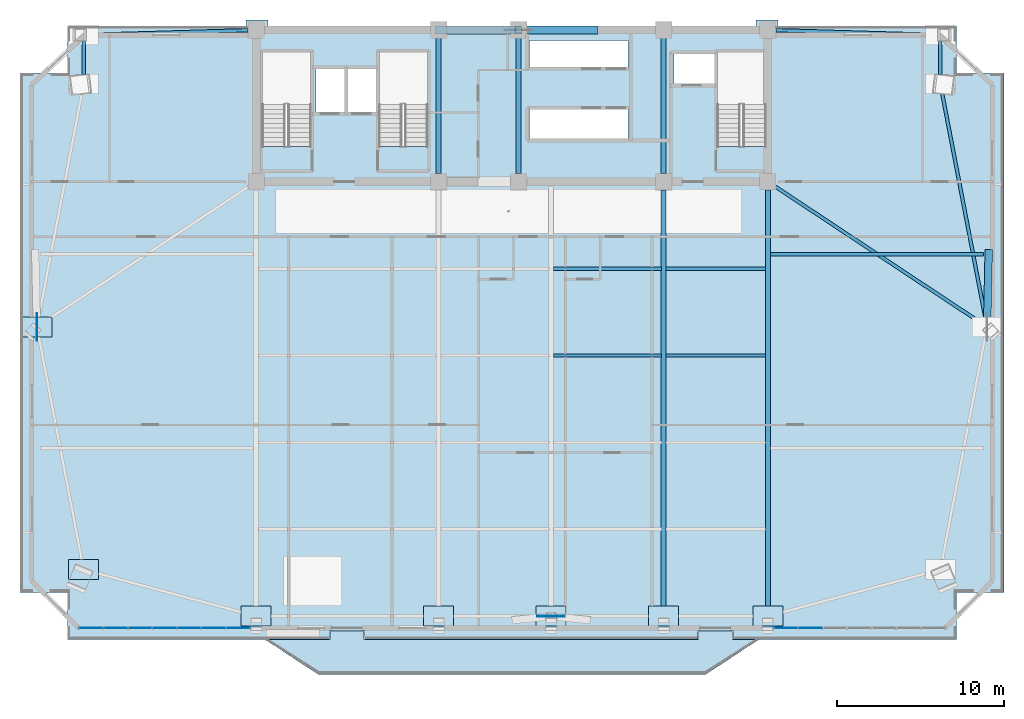
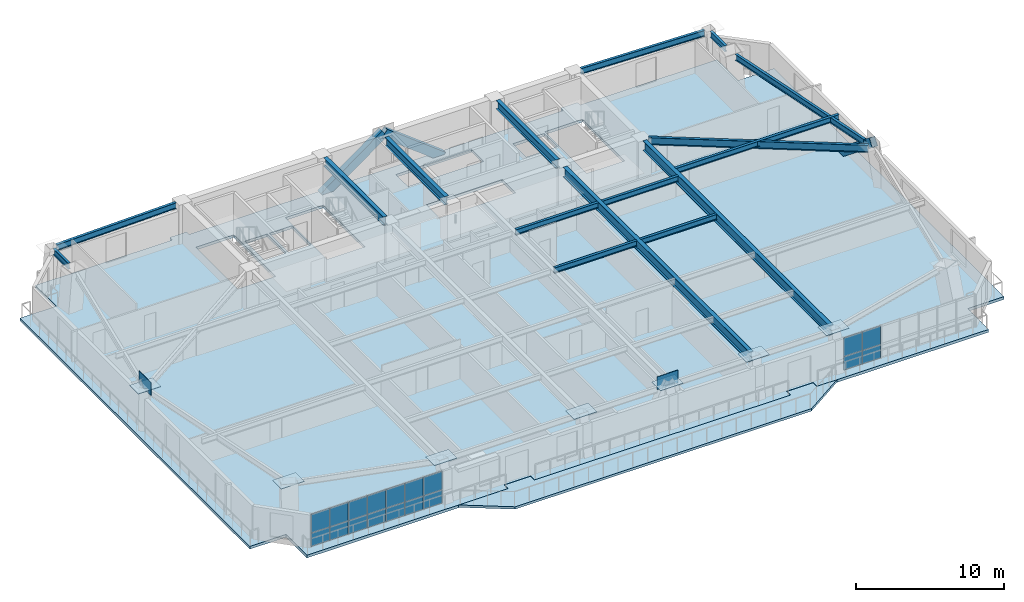
# One storey, part 6 of 16: 27 plates, 16 beams, 3 members, 2 slabs, 2 elements without a shape of their own.
"""IFC4 building model written with IfcOpenShell, lengths in metres."""

from ifc_helpers import new_model, si_unit, direction, frame, origin, origin_2d, place, context, subcontext, project, spatial, polyline, rectangle, hollow_rectangle, i_section, outline, extrude, source, transform, mapped, material, layer, layer_set, material_profile, profile_set, type_object, element, aggregate, save


model = new_model("IFC4")

# Units and contexts
model_context = context("Model", 3, precision=1e-05, world=origin(), true_north=direction((0.0, 1.0)))
body_context = subcontext(model_context, "Body", "Model", "MODEL_VIEW")
ifc_project = project(units=[si_unit("LENGTHUNIT", "METRE"), si_unit("AREAUNIT", "SQUARE_METRE"), si_unit("VOLUMEUNIT", "CUBIC_METRE"), si_unit("PLANEANGLEUNIT", "RADIAN"), si_unit("MASSUNIT", "GRAM", prefix="KILO")], contexts=[model_context])

# Site, building, storey
site_placement = place(None, origin())
site = spatial("IfcSite", under=ifc_project, at=site_placement, CompositionType="ELEMENT")
building_placement = place(site_placement, origin())
building = spatial("IfcBuilding", under=site, at=building_placement, Name="Giltprow Tower", CompositionType="ELEMENT")
storey_placement = place(building_placement, frame((0.0, 0.0, 199.199951171875)))
storey = spatial("IfcBuildingStorey", under=building, at=storey_placement, Name="L50", CompositionType="ELEMENT", Elevation=199.199951171875)

# Beams
ifc_material_1 = material(Name="Structural steel Q355B", Category="steel")
ifc_material_profile_1 = material_profile(ifc_material_1, i_section(OverallWidth=0.199951171875, OverallDepth=0.5, WebThickness=0.010009765625, FlangeThickness=0.01611328125, at=origin_2d()), Name="HN 500x200x10x16")
ifc_profile_set_1 = profile_set([ifc_material_profile_1], Name="Structural steel Q355B")
beam_type_1 = type_object("IfcBeamType", Name="BM-SPAN-HN500", PredefinedType="SPANDREL", material=ifc_profile_set_1)
shared_shape_1 = source(origin(), body_context, "Body", "SweptSolid", [
    extrude(i_section(OverallWidth=0.199951171875, OverallDepth=0.5, WebThickness=0.010009765625, FlangeThickness=0.01611328125, at=origin_2d()), origin(), (0.0, 0.0, 1.0), 2.030029296875),
])
for number, where, z_axis, x_axis, name in (
    (1, (60.89794921875, 43.885009765625, 3.02001953125), (0.0, 1.0, 0.0), (-1.0, 0.0, 0.0), "L50 Perimeter Spandrel Beam MC_NE-N_E"),
    (2, (9.5029296875, 45.9150390625, 3.02001953125), (0.0, -1.0, 0.0), (1.0, 0.0, 0.0), "L50 Perimeter Spandrel Beam N_W-MC_NW"),
):
    element("IfcBeam", number, at=place(storey_placement, frame(where, z_axis=z_axis, x_axis=x_axis)), inside=storey, type_object=beam_type_1, Name=name, PredefinedType="SPANDREL", context=body_context, shape_type="MappedRepresentation", body=[
        mapped(shared_shape_1, transform((0.0, 0.0, 0.0), x_axis=(1.0, 0.0, 0.0), y_axis=(0.0, 1.0, 0.0), z_axis=(0.0, 0.0, 1.0), scale=1.0)),
    ])
ifc_material_profile_2 = material_profile(ifc_material_1, i_section(OverallWidth=0.199951171875, OverallDepth=0.449951171875, WebThickness=0.009033203125, FlangeThickness=0.013916015625, at=origin_2d()), Name="HN 450x200x9x14")
ifc_profile_set_2 = profile_set([ifc_material_profile_2], Name="Structural steel Q355B")
beam_type_2 = type_object("IfcBeamType", Name="BM-JOIST-HN450", PredefinedType="JOIST", material=ifc_profile_set_2)
shared_shape_2 = source(origin(), body_context, "Body", "SweptSolid", [
    extrude(i_section(OverallWidth=0.199951171875, OverallDepth=0.449951171875, WebThickness=0.009033203125, FlangeThickness=0.013916015625, at=origin_2d()), origin(), (0.0, 0.0, 1.0), 6.4599609375),
])
for number, where, z_axis, x_axis, name in (
    (3, (37.695068359375, 27.02392578125, 3.045166015625), (1.0, 0.0, 0.0), (0.0, 1.0, 0.0), "L50 Composite Floor Joist 3-3"),
    (4, (37.695068359375, 32.237060546875, 3.045166015625), (1.0, 0.0, 0.0), (0.0, 1.0, 0.0), "L50 Composite Floor Joist 4-3"),
):
    element("IfcBeam", number, at=place(storey_placement, frame(where, z_axis=z_axis, x_axis=x_axis)), inside=storey, type_object=beam_type_2, Name=name, PredefinedType="JOIST", context=body_context, shape_type="MappedRepresentation", body=[
        mapped(shared_shape_2, transform((0.0, 0.0, 0.0), x_axis=(1.0, 0.0, 0.0), y_axis=(0.0, 1.0, 0.0), z_axis=(0.0, 0.0, 1.0), scale=1.0)),
    ])
shared_shape_3 = source(origin(), body_context, "Body", "SweptSolid", [
    extrude(i_section(OverallWidth=0.199951171875, OverallDepth=0.449951171875, WebThickness=0.009033203125, FlangeThickness=0.013916015625, at=origin_2d()), origin(), (0.0, 0.0, 1.0), 5.9599609375),
])
for number, where, z_axis, x_axis, name in (
    (5, (44.445068359375, 27.02392578125, 3.045166015625), (1.0, 0.0, 0.0), (0.0, 1.0, 0.0), "L50 Composite Floor Joist 3-4"),
    (6, (44.445068359375, 32.237060546875, 3.045166015625), (1.0, 0.0, 0.0), (0.0, 1.0, 0.0), "L50 Composite Floor Joist 4-4"),
):
    element("IfcBeam", number, at=place(storey_placement, frame(where, z_axis=z_axis, x_axis=x_axis)), inside=storey, type_object=beam_type_2, Name=name, PredefinedType="JOIST", context=body_context, shape_type="MappedRepresentation", body=[
        mapped(shared_shape_3, transform((0.0, 0.0, 0.0), x_axis=(1.0, 0.0, 0.0), y_axis=(0.0, 1.0, 0.0), z_axis=(0.0, 0.0, 1.0), scale=1.0)),
    ])
ifc_material_profile_3 = material_profile(ifc_material_1, i_section(OverallWidth=0.300048828125, OverallDepth=0.699951171875, WebThickness=0.012939453125, FlangeThickness=0.02392578125, at=origin_2d()), Name="HN 700x300x13x24")
ifc_profile_set_3 = profile_set([ifc_material_profile_3], Name="Structural steel Q355B")
beam_type_3 = type_object("IfcBeamType", Name="BM-GIRD-HN700", PredefinedType="BEAM", material=ifc_profile_set_3)
shared_shape_4 = source(origin(), body_context, "Body", "SweptSolid", [
    extrude(i_section(OverallWidth=0.300048828125, OverallDepth=0.699951171875, WebThickness=0.012939453125, FlangeThickness=0.02392578125, at=origin_2d()), origin(), (0.0, 0.0, 1.0), 8.1298828125),
])
for number, where, z_axis, x_axis, name in (
    (7, (30.800048828125, 37.93505859375, 2.920166015625), (0.0, 1.0, 0.0), (-1.0, 0.0, 0.0), "L50 Core Tie Girder M1"),
    (8, (35.60009765625, 37.93505859375, 2.920166015625), (0.0, 1.0, 0.0), (-1.0, 0.0, 0.0), "L50 Core Tie Girder M2"),
    (9, (44.300048828125, 37.93505859375, 2.920166015625), (0.0, 1.0, 0.0), (-1.0, 0.0, 0.0), "L50 Core Tie Girder M3"),
):
    element("IfcBeam", number, at=place(storey_placement, frame(where, z_axis=z_axis, x_axis=x_axis)), inside=storey, type_object=beam_type_3, Name=name, PredefinedType="BEAM", context=body_context, shape_type="MappedRepresentation", body=[
        mapped(shared_shape_4, transform((0.0, 0.0, 0.0), x_axis=(1.0, 0.0, 0.0), y_axis=(0.0, 1.0, 0.0), z_axis=(0.0, 0.0, 1.0), scale=1.0)),
    ])
shared_shape_5 = source(origin(), body_context, "Body", "SweptSolid", [
    extrude(i_section(OverallWidth=0.199951171875, OverallDepth=0.5, WebThickness=0.010009765625, FlangeThickness=0.01611328125, at=origin_2d()), origin(), (0.0, 0.0, 1.0), 13.904541015625),
])
beam_1_placement = place(storey_placement, frame((63.635009765625, 29.072021484375, 3.02001953125), z_axis=(-0.18892879803, 0.981990788793, 0.0), x_axis=(-0.981990788793, -0.18892879803, 0.0)))
element("IfcBeam", 10, at=beam_1_placement, inside=storey, type_object=beam_type_1, Name="L50 Perimeter Spandrel Beam E_MID-MC_NE", PredefinedType="SPANDREL", context=body_context, shape_type="MappedRepresentation", body=[
    mapped(shared_shape_5, transform((0.0, 0.0, 0.0), x_axis=(1.0, 0.0, 0.0), y_axis=(0.0, 1.0, 0.0), z_axis=(0.0, 0.0, 1.0), scale=1.0)),
])
shared_shape_6 = source(origin(), body_context, "Body", "SweptSolid", [
    extrude(i_section(OverallWidth=0.199951171875, OverallDepth=0.5, WebThickness=0.010009765625, FlangeThickness=0.01611328125, at=origin_2d()), origin(), (0.0, 0.0, 1.0), 9.531005859375),
])
beam_2_placement = place(storey_placement, frame((9.837890625, 46.260009765625, 3.02001953125), z_axis=(0.999581001408, 0.028945148543, 0.0), x_axis=(-0.028945148543, 0.999581001408, 0.0)))
element("IfcBeam", 11, at=beam_2_placement, inside=storey, type_object=beam_type_1, Name="L50 North Wing Spandrel W", PredefinedType="SPANDREL", context=body_context, shape_type="MappedRepresentation", body=[
    mapped(shared_shape_6, transform((0.0, 0.0, 0.0), x_axis=(1.0, 0.0, 0.0), y_axis=(0.0, 1.0, 0.0), z_axis=(0.0, 0.0, 1.0), scale=1.0)),
])
shared_shape_7 = source(origin(), body_context, "Body", "SweptSolid", [
    extrude(i_section(OverallWidth=0.199951171875, OverallDepth=0.5, WebThickness=0.010009765625, FlangeThickness=0.01611328125, at=origin_2d()), origin(), (0.0, 0.0, 1.0), 9.531982421875),
])
beam_3_placement = place(storey_placement, frame((51.034912109375, 46.535888671875, 3.02001953125), z_axis=(0.999581087239, -0.028942184349, 0.0), x_axis=(0.028942184349, 0.999581087239, 0.0)))
element("IfcBeam", 12, at=beam_3_placement, inside=storey, type_object=beam_type_1, Name="L50 North Wing Spandrel E", PredefinedType="SPANDREL", context=body_context, shape_type="MappedRepresentation", body=[
    mapped(shared_shape_7, transform((0.0, 0.0, 0.0), x_axis=(1.0, 0.0, 0.0), y_axis=(0.0, 1.0, 0.0), z_axis=(0.0, 0.0, 1.0), scale=1.0)),
])
ifc_material_profile_4 = material_profile(ifc_material_1, i_section(OverallWidth=0.300048828125, OverallDepth=0.800048828125, WebThickness=0.013916015625, FlangeThickness=0.02587890625, at=origin_2d()), Name="HN 800x300x14x26")
ifc_profile_set_4 = profile_set([ifc_material_profile_4], Name="Structural steel Q355B")
beam_type_4 = type_object("IfcBeamType", Name="BM-GIRD-HN800", PredefinedType="BEAM", material=ifc_profile_set_4)
shared_shape_8 = source(origin(), body_context, "Body", "SweptSolid", [
    extrude(i_section(OverallWidth=0.300048828125, OverallDepth=0.800048828125, WebThickness=0.013916015625, FlangeThickness=0.02587890625, at=origin_2d()), origin(), (0.0, 0.0, 1.0), 25.244140625),
])
for number, where, z_axis, x_axis, name in (
    (13, (44.300048828125, 11.720947265625, 2.8701171875), (0.0, 1.0, 0.0), (-1.0, 0.0, 0.0), "L50 Primary Lease Girder S3"),
    (14, (50.550048828125, 11.720947265625, 2.8701171875), (0.0, 1.0, 0.0), (-1.0, 0.0, 0.0), "L50 Primary Lease Girder S4"),
):
    element("IfcBeam", number, at=place(storey_placement, frame(where, z_axis=z_axis, x_axis=x_axis)), inside=storey, type_object=beam_type_4, Name=name, PredefinedType="BEAM", context=body_context, shape_type="MappedRepresentation", body=[
        mapped(shared_shape_8, transform((0.0, 0.0, 0.0), x_axis=(1.0, 0.0, 0.0), y_axis=(0.0, 1.0, 0.0), z_axis=(0.0, 0.0, 1.0), scale=1.0)),
    ])
ifc_material_profile_5 = material_profile(ifc_material_1, i_section(OverallWidth=0.199951171875, OverallDepth=0.60009765625, WebThickness=0.010986328125, FlangeThickness=0.01708984375, at=origin_2d()), Name="HN 600x200x11x17")
ifc_profile_set_5 = profile_set([ifc_material_profile_5], Name="Structural steel Q355B")
beam_type_5 = type_object("IfcBeamType", Name="BM-GIRD-HN600", PredefinedType="BEAM", material=ifc_profile_set_5)
shared_shape_9 = source(origin(), body_context, "Body", "SweptSolid", [
    extrude(i_section(OverallWidth=0.199951171875, OverallDepth=0.60009765625, WebThickness=0.010986328125, FlangeThickness=0.01708984375, at=origin_2d()), origin(), (0.0, 0.0, 1.0), 14.949951171875),
])
beam_4_placement = place(storey_placement, frame((63.4189453125, 28.927978515625, 2.969970703125), z_axis=(-0.833774785073, 0.552104707258, 0.0), x_axis=(-0.552104707258, -0.833774785073, 0.0)))
element("IfcBeam", 15, at=beam_4_placement, inside=storey, type_object=beam_type_5, Name="L50 East Wing Primary Girder", PredefinedType="BEAM", context=body_context, shape_type="MappedRepresentation", body=[
    mapped(shared_shape_9, transform((0.0, 0.0, 0.0), x_axis=(1.0, 0.0, 0.0), y_axis=(0.0, 1.0, 0.0), z_axis=(0.0, 0.0, 1.0), scale=1.0)),
])
shared_shape_10 = source(origin(), body_context, "Body", "SweptSolid", [
    extrude(i_section(OverallWidth=0.199951171875, OverallDepth=0.449951171875, WebThickness=0.009033203125, FlangeThickness=0.013916015625, at=origin_2d()), origin(), (0.0, 0.0, 1.0), 12.782958984375),
])
beam_5_placement = place(storey_placement, frame((50.695068359375, 33.095947265625, 3.045166015625), z_axis=(1.0, 0.0, 0.0), x_axis=(0.0, 1.0, 0.0)))
element("IfcBeam", 16, at=beam_5_placement, inside=storey, type_object=beam_type_2, Name="L50 East Wing Floor Joist 2", PredefinedType="JOIST", context=body_context, shape_type="MappedRepresentation", body=[
    mapped(shared_shape_10, transform((0.0, 0.0, 0.0), x_axis=(1.0, 0.0, 0.0), y_axis=(0.0, 1.0, 0.0), z_axis=(0.0, 0.0, 1.0), scale=1.0)),
])

# Members
ifc_material_2 = material(Name="Structural steel Q420GJC", Category="steel")
ifc_material_profile_6 = material_profile(ifc_material_2, hollow_rectangle(XDim=0.449951171875, YDim=0.699951171875, WallThickness=0.031982421875, at=origin_2d()), Name="RHS 700x450x32")
ifc_profile_set_6 = profile_set([ifc_material_profile_6], Name="Structural steel Q420GJC")
member_type = type_object("IfcMemberType", Name="MBR-MEGA-RHS700", PredefinedType="BRACE", material=ifc_profile_set_6)
shared_shape_11 = source(origin(), body_context, "Body", "SweptSolid", [
    extrude(hollow_rectangle(XDim=0.449951171875, YDim=0.699951171875, WallThickness=0.031982421875, at=origin_2d()), origin(), (0.0, 0.0, 1.0), 5.93505859375),
])
member_1_placement = place(storey_placement, frame((30.806884765625, 46.550048828125, -0.139892578125), z_axis=(0.807610388914, 0.0, 0.589716423138), x_axis=(0.0, 1.0, 0.0)))
element("IfcMember", 17, at=member_1_placement, inside=storey, type_object=member_type, Name="L50 Chevron Mega-Brace N-L", PredefinedType="BRACE", context=body_context, shape_type="MappedRepresentation", body=[
    mapped(shared_shape_11, transform((0.0, 0.0, 0.0), x_axis=(1.0, 0.0, 0.0), y_axis=(0.0, 1.0, 0.0), z_axis=(0.0, 0.0, 1.0), scale=1.0)),
])
shared_shape_12 = source(origin(), body_context, "Body", "SweptSolid", [
    extrude(hollow_rectangle(XDim=0.449951171875, YDim=0.699951171875, WallThickness=0.031982421875, at=origin_2d()), origin(), (0.0, 0.0, 1.0), 5.740234375),
])
member_2_placement = place(storey_placement, frame((40.14990234375, 46.550048828125, -0.139892578125), z_axis=(-0.792611340252, 0.0, 0.609727204006), x_axis=(0.0, -1.0, 0.0)))
element("IfcMember", 18, at=member_2_placement, inside=storey, type_object=member_type, Name="L50 Chevron Mega-Brace N-R", PredefinedType="BRACE", context=body_context, shape_type="MappedRepresentation", body=[
    mapped(shared_shape_12, transform((0.0, 0.0, 0.0), x_axis=(1.0, 0.0, 0.0), y_axis=(0.0, 1.0, 0.0), z_axis=(0.0, 0.0, 1.0), scale=1.0)),
])
shared_shape_13 = source(origin(), body_context, "Body", "SweptSolid", [
    extrude(hollow_rectangle(XDim=0.449951171875, YDim=0.699951171875, WallThickness=0.031982421875, at=origin_2d()), origin(), (0.0, 0.0, 1.0), 5.638916015625),
])
member_3_placement = place(storey_placement, frame((63.7939453125, 33.1630859375, 0.0), z_axis=(-0.017015277139, -0.783871736919, 0.620689600689), x_axis=(0.999764492574, -0.021701598762, 0.0)))
element("IfcMember", 19, at=member_3_placement, inside=storey, type_object=member_type, Name="L50 Chevron Mega-Brace E-R", PredefinedType="BRACE", context=body_context, shape_type="MappedRepresentation", body=[
    mapped(shared_shape_13, transform((0.0, 0.0, 0.0), x_axis=(1.0, 0.0, 0.0), y_axis=(0.0, 1.0, 0.0), z_axis=(0.0, 0.0, 1.0), scale=1.0)),
])

# Slabs
ifc_material_3 = material(Name="Concrete C40", Category="concrete")
ifc_layer_1 = layer(ifc_material_3, 0.199951171875, Name="Concrete C40")
ifc_layer_set_1 = layer_set([ifc_layer_1], Name="Concrete C40")
slab_type_1 = type_object("IfcSlabType", Name="SLB-BALC-BRONZE-200", PredefinedType="FLOOR", material=ifc_layer_set_1)
slab_1_placement = place(storey_placement, frame((0.0, 0.0, -0.199951171875)))
element("IfcSlab", 20, at=slab_1_placement, inside=storey, type_object=slab_type_1, Name="L50 Bronze Prow Waterfront Balcony Slab", PredefinedType="FLOOR", context=body_context, shape_type="SweptSolid", body=[
    extrude(outline(polyline([(50.0, 9.97998046875), (46.800048828125, 7.8798828125), (23.60009765625, 7.8798828125), (20.39990234375, 9.97998046875), (24.280029296875, 9.97998046875), (24.280029296875, 10.47998046875), (26.320068359375, 10.47998046875), (26.320068359375, 9.97998046875), (46.3798828125, 9.97998046875), (46.3798828125, 10.47998046875), (48.419921875, 10.47998046875), (48.419921875, 9.97998046875), (50.0, 9.97998046875)])), origin(), (0.0, 0.0, 1.0), 0.199951171875),
])
ifc_layer_2 = layer(ifc_material_3, 0.22998046875, Name="Concrete C40")
ifc_layer_set_2 = layer_set([ifc_layer_2], Name="Concrete C40")
slab_type_2 = type_object("IfcSlabType", Name="SLB-HTL-230", PredefinedType="FLOOR", material=ifc_layer_set_2)
slab_2_placement = place(storey_placement, frame((0.0, 0.0, -0.22998046875)))
element("IfcSlab", 21, at=slab_2_placement, inside=storey, type_object=slab_type_2, Name="L50 Structural Composite Floor Slab", PredefinedType="FLOOR", context=body_context, shape_type="SweptSolid", body=[
    extrude(outline(polyline([(64.7119140625, 43.965087890625), (64.7119140625, 12.81591796875), (61.876953125, 12.81591796875), (61.876953125, 9.97998046875), (48.449951171875, 9.97998046875), (48.449951171875, 10.5), (46.35009765625, 10.5), (46.35009765625, 9.97998046875), (26.35009765625, 9.97998046875), (26.35009765625, 10.5), (24.25, 10.5), (24.25, 9.97998046875), (8.52392578125, 9.97998046875), (8.52392578125, 12.81591796875), (5.68896484375, 12.81591796875), (5.68896484375, 43.965087890625), (8.52392578125, 43.965087890625), (8.52392578125, 46.800048828125), (19.25, 46.800048828125), (19.25, 47.14990234375), (20.550048828125, 47.14990234375), (20.550048828125, 46.800048828125), (49.85009765625, 46.800048828125), (49.85009765625, 47.14990234375), (51.14990234375, 47.14990234375), (51.14990234375, 46.800048828125), (61.876953125, 46.800048828125), (61.876953125, 43.965087890625), (64.7119140625, 43.965087890625)]), holes=[polyline([(42.169921875, 41.800048828125), (36.239990234375, 41.800048828125), (36.239990234375, 40.0), (42.169921875, 40.0), (42.169921875, 41.800048828125)]), polyline([(23.159912109375, 39.570068359375), (23.159912109375, 45.25), (20.199951171875, 45.25), (20.199951171875, 39.570068359375), (23.159912109375, 39.570068359375)]), polyline([(30.159912109375, 39.570068359375), (30.159912109375, 45.25), (27.199951171875, 45.25), (27.199951171875, 39.570068359375), (30.159912109375, 39.570068359375)]), polyline([(50.4599609375, 45.25), (47.5, 45.25), (47.5, 39.570068359375), (50.4599609375, 39.570068359375), (50.4599609375, 45.25)]), polyline([(25.169921875, 44.199951171875), (23.449951171875, 44.199951171875), (23.449951171875, 41.60009765625), (25.169921875, 41.60009765625), (25.169921875, 44.199951171875)]), polyline([(27.10009765625, 44.199951171875), (25.35009765625, 44.199951171875), (25.35009765625, 41.60009765625), (27.10009765625, 41.60009765625), (27.10009765625, 44.199951171875)]), polyline([(47.3798828125, 43.300048828125), (47.3798828125, 45.10009765625), (44.919921875, 45.10009765625), (44.919921875, 43.300048828125), (47.3798828125, 43.300048828125)]), polyline([(42.169921875, 44.300048828125), (42.169921875, 45.919921875), (36.239990234375, 45.919921875), (36.239990234375, 44.300048828125), (42.169921875, 44.300048828125)])]), origin(), (0.0, 0.0, 1.0), 0.22998046875),
])

# Plates
plate_type_1 = type_object("IfcPlateType", Name="PLT-NODE-CKN1", PredefinedType="USERDEFINED", material=ifc_material_2)
shared_shape_14 = source(origin(), body_context, "Body", "SweptSolid", [
    extrude(rectangle(XDim=1.800048828125, YDim=1.199951171875, at=origin_2d()), origin(), (0.0, 0.0, 1.0), 0.044921875),
])
for number, where, z_axis, x_axis, name in (
    (22, (9.5029296875, 14.18603515625, 3.2275390625), (0.0, 0.0, 1.0), (1.0, 0.0, 0.0), "CKN1 Column Taper Splice Node L50-MC_SW"),
    (23, (19.85009765625, 11.385986328125, 3.2275390625), (0.0, 0.0, 1.0), (1.0, 0.0, 0.0), "CKN1 Column Taper Splice Node L50-S1"),
    (24, (30.800048828125, 11.385986328125, 3.2275390625), (0.0, 0.0, 1.0), (1.0, 0.0, 0.0), "CKN1 Column Taper Splice Node L50-S2"),
    (25, (37.550048828125, 11.385986328125, 3.2275390625), (0.0, 0.0, 1.0), (1.0, 0.0, 0.0), "CKN1 Column Taper Splice Node L50-S_MID"),
    (26, (44.300048828125, 11.385986328125, 3.2275390625), (0.0, 0.0, 1.0), (1.0, 0.0, 0.0), "CKN1 Column Taper Splice Node L50-S3"),
    (27, (50.550048828125, 11.385986328125, 3.2275390625), (0.0, 0.0, 1.0), (1.0, 0.0, 0.0), "CKN1 Column Taper Splice Node L50-S4"),
    (28, (6.702880859375, 28.742919921875, 3.2275390625), (0.0, 0.0, 1.0), (1.0, 0.0, 0.0), "CKN1 Column Taper Splice Node L50-W_MID"),
):
    element("IfcPlate", number, at=place(storey_placement, frame(where, z_axis=z_axis, x_axis=x_axis)), inside=storey, type_object=plate_type_1, Name=name, ObjectType="SPLICE", PredefinedType="USERDEFINED", context=body_context, shape_type="MappedRepresentation", body=[
        mapped(shared_shape_14, transform((0.0, 0.0, 0.0), x_axis=(1.0, 0.0, 0.0), y_axis=(0.0, 1.0, 0.0), z_axis=(0.0, 0.0, 1.0), scale=1.0)),
    ])
plate_type_2 = type_object("IfcPlateType", Name="PLT-NODE-MBN2", PredefinedType="USERDEFINED", material=ifc_material_2)
shared_shape_15 = source(origin(), body_context, "Body", "SweptSolid", [
    extrude(rectangle(XDim=1.64990234375, YDim=0.044921875, at=origin_2d()), origin(), (0.0, 0.0, 1.0), 1.050048828125),
])
for number, where, z_axis, x_axis, name in (
    (29, (37.550048828125, 11.385986328125, 2.97509765625), (0.0, 0.0, 1.0), (1.0, 0.0, 0.0), "Mega-Brace Node L50-S-LB"),
    (30, (6.702880859375, 28.742919921875, 2.97509765625), (0.0, 0.0, 1.0), (0.0, 1.0, 0.0), "Mega-Brace Node L50-W-RB"),
):
    element("IfcPlate", number, at=place(storey_placement, frame(where, z_axis=z_axis, x_axis=x_axis)), inside=storey, type_object=plate_type_2, Name=name, ObjectType="GUSSET", PredefinedType="USERDEFINED", context=body_context, shape_type="MappedRepresentation", body=[
        mapped(shared_shape_15, transform((0.0, 0.0, 0.0), x_axis=(1.0, 0.0, 0.0), y_axis=(0.0, 1.0, 0.0), z_axis=(0.0, 0.0, 1.0), scale=1.0)),
    ])

# Curtain wall, plates
ifc_material_4 = material(Name="Anodized bronze", Category="metal")
ifc_layer_3 = layer(ifc_material_4, 0.179931640625, Name="Anodized bronze")
ifc_layer_set_3 = layer_set([ifc_layer_3], Name="Anodized bronze")
curtain_wall_type = type_object("IfcCurtainWallType", Name="CW-HTL-BRONZE", PredefinedType="NOTDEFINED", material=ifc_layer_set_3)
curtain_wall_1_placement = place(storey_placement, origin())
curtain_wall_1 = element("IfcCurtainWall", 31, at=curtain_wall_1_placement, inside=storey, type_object=curtain_wall_type, Name="L50 South Recessed Curtain Wall 1", PredefinedType="NOTDEFINED")
ifc_material_5 = material(Name="Insulated glass", Category="glass")
plate_type_3 = type_object("IfcPlateType", Name="CW-PANEL-IGU-28", PredefinedType="CURTAIN_PANEL", material=ifc_material_5)
shared_shape_16 = source(origin(), body_context, "Body", "SweptSolid", [
    extrude(rectangle(XDim=1.43798828125, YDim=0.028076171875, at=origin_2d()), origin(), (0.0, 0.0, 1.0), 1.0869140625),
])
plate_1_placement = place(storey_placement, frame((9.9580078125, 10.679931640625, 0.0546875), z_axis=(0.0, 0.0, 1.0), x_axis=(1.0, 0.0, 0.0)))
plate_1 = element("IfcPlate", 32, at=plate_1_placement, type_object=plate_type_3, Name="L50 South Recessed Curtain Wall 1 Glazing Panel 1-1", PredefinedType="CURTAIN_PANEL", context=body_context, shape_type="MappedRepresentation", body=[
    mapped(shared_shape_16, transform((0.0, 0.0, 0.0), x_axis=(1.0, 0.0, 0.0), y_axis=(0.0, 1.0, 0.0), z_axis=(0.0, 0.0, 1.0), scale=1.0)),
])
plate_2_placement = place(storey_placement, frame((11.426025390625, 10.679931640625, 0.0546875), z_axis=(0.0, 0.0, 1.0), x_axis=(1.0, 0.0, 0.0)))
plate_2 = element("IfcPlate", 33, at=plate_2_placement, type_object=plate_type_3, Name="L50 South Recessed Curtain Wall 1 Glazing Panel 2-1", PredefinedType="CURTAIN_PANEL", context=body_context, shape_type="MappedRepresentation", body=[
    mapped(shared_shape_16, transform((0.0, 0.0, 0.0), x_axis=(1.0, 0.0, 0.0), y_axis=(0.0, 1.0, 0.0), z_axis=(0.0, 0.0, 1.0), scale=1.0)),
])
plate_3_placement = place(storey_placement, frame((12.89404296875, 10.679931640625, 0.0546875), z_axis=(0.0, 0.0, 1.0), x_axis=(1.0, 0.0, 0.0)))
plate_3 = element("IfcPlate", 34, at=plate_3_placement, type_object=plate_type_3, Name="L50 South Recessed Curtain Wall 1 Glazing Panel 3-1", PredefinedType="CURTAIN_PANEL", context=body_context, shape_type="MappedRepresentation", body=[
    mapped(shared_shape_16, transform((0.0, 0.0, 0.0), x_axis=(1.0, 0.0, 0.0), y_axis=(0.0, 1.0, 0.0), z_axis=(0.0, 0.0, 1.0), scale=1.0)),
])
plate_4_placement = place(storey_placement, frame((14.362060546875, 10.679931640625, 0.0546875), z_axis=(0.0, 0.0, 1.0), x_axis=(1.0, 0.0, 0.0)))
plate_4 = element("IfcPlate", 35, at=plate_4_placement, type_object=plate_type_3, Name="L50 South Recessed Curtain Wall 1 Glazing Panel 4-1", PredefinedType="CURTAIN_PANEL", context=body_context, shape_type="MappedRepresentation", body=[
    mapped(shared_shape_16, transform((0.0, 0.0, 0.0), x_axis=(1.0, 0.0, 0.0), y_axis=(0.0, 1.0, 0.0), z_axis=(0.0, 0.0, 1.0), scale=1.0)),
])
plate_5_placement = place(storey_placement, frame((15.830078125, 10.679931640625, 0.0546875), z_axis=(0.0, 0.0, 1.0), x_axis=(1.0, 0.0, 0.0)))
plate_5 = element("IfcPlate", 36, at=plate_5_placement, type_object=plate_type_3, Name="L50 South Recessed Curtain Wall 1 Glazing Panel 5-1", PredefinedType="CURTAIN_PANEL", context=body_context, shape_type="MappedRepresentation", body=[
    mapped(shared_shape_16, transform((0.0, 0.0, 0.0), x_axis=(1.0, 0.0, 0.0), y_axis=(0.0, 1.0, 0.0), z_axis=(0.0, 0.0, 1.0), scale=1.0)),
])
plate_6_placement = place(storey_placement, frame((17.298095703125, 10.679931640625, 0.0546875), z_axis=(0.0, 0.0, 1.0), x_axis=(1.0, 0.0, 0.0)))
plate_6 = element("IfcPlate", 37, at=plate_6_placement, type_object=plate_type_3, Name="L50 South Recessed Curtain Wall 1 Glazing Panel 6-1", PredefinedType="CURTAIN_PANEL", context=body_context, shape_type="MappedRepresentation", body=[
    mapped(shared_shape_16, transform((0.0, 0.0, 0.0), x_axis=(1.0, 0.0, 0.0), y_axis=(0.0, 1.0, 0.0), z_axis=(0.0, 0.0, 1.0), scale=1.0)),
])
plate_7_placement = place(storey_placement, frame((18.76611328125, 10.679931640625, 0.0546875), z_axis=(0.0, 0.0, 1.0), x_axis=(1.0, 0.0, 0.0)))
plate_7 = element("IfcPlate", 38, at=plate_7_placement, type_object=plate_type_3, Name="L50 South Recessed Curtain Wall 1 Glazing Panel 7-1", PredefinedType="CURTAIN_PANEL", context=body_context, shape_type="MappedRepresentation", body=[
    mapped(shared_shape_16, transform((0.0, 0.0, 0.0), x_axis=(1.0, 0.0, 0.0), y_axis=(0.0, 1.0, 0.0), z_axis=(0.0, 0.0, 1.0), scale=1.0)),
])

curtain_wall_2_placement = place(storey_placement, origin())
curtain_wall_2 = element("IfcCurtainWall", 39, at=curtain_wall_2_placement, inside=storey, type_object=curtain_wall_type, Name="L50 South Recessed Curtain Wall 6", PredefinedType="NOTDEFINED")
plate_8_placement = place(storey_placement, frame((51.634033203125, 10.679931640625, 0.0546875), z_axis=(0.0, 0.0, 1.0), x_axis=(1.0, 0.0, 0.0)))
plate_8 = element("IfcPlate", 40, at=plate_8_placement, type_object=plate_type_3, Name="L50 South Recessed Curtain Wall 6 Glazing Panel 1-1", PredefinedType="CURTAIN_PANEL", context=body_context, shape_type="MappedRepresentation", body=[
    mapped(shared_shape_16, transform((0.0, 0.0, 0.0), x_axis=(1.0, 0.0, 0.0), y_axis=(0.0, 1.0, 0.0), z_axis=(0.0, 0.0, 1.0), scale=1.0)),
])
plate_9_placement = place(storey_placement, frame((53.10205078125, 10.679931640625, 0.0546875), z_axis=(0.0, 0.0, 1.0), x_axis=(1.0, 0.0, 0.0)))
plate_9 = element("IfcPlate", 41, at=plate_9_placement, type_object=plate_type_3, Name="L50 South Recessed Curtain Wall 6 Glazing Panel 2-1", PredefinedType="CURTAIN_PANEL", context=body_context, shape_type="MappedRepresentation", body=[
    mapped(shared_shape_16, transform((0.0, 0.0, 0.0), x_axis=(1.0, 0.0, 0.0), y_axis=(0.0, 1.0, 0.0), z_axis=(0.0, 0.0, 1.0), scale=1.0)),
])

# Plate
shared_shape_17 = source(origin(), body_context, "Body", "SweptSolid", [
    extrude(rectangle(XDim=1.43798828125, YDim=0.028076171875, at=origin_2d()), origin(), (0.0, 0.0, 1.0), 1.527099609375),
])
plate_10_placement = place(storey_placement, frame((9.9580078125, 10.679931640625, 1.16845703125), z_axis=(0.0, 0.0, 1.0), x_axis=(1.0, 0.0, 0.0)))
plate_10 = element("IfcPlate", 42, at=plate_10_placement, type_object=plate_type_3, Name="L50 South Recessed Curtain Wall 1 Glazing Panel 1-2", PredefinedType="CURTAIN_PANEL", context=body_context, shape_type="MappedRepresentation", body=[
    mapped(shared_shape_17, transform((0.0, 0.0, 0.0), x_axis=(1.0, 0.0, 0.0), y_axis=(0.0, 1.0, 0.0), z_axis=(0.0, 0.0, 1.0), scale=1.0)),
])

plate_11_placement = place(storey_placement, frame((11.426025390625, 10.679931640625, 1.16845703125), z_axis=(0.0, 0.0, 1.0), x_axis=(1.0, 0.0, 0.0)))
plate_11 = element("IfcPlate", 43, at=plate_11_placement, type_object=plate_type_3, Name="L50 South Recessed Curtain Wall 1 Glazing Panel 2-2", PredefinedType="CURTAIN_PANEL", context=body_context, shape_type="MappedRepresentation", body=[
    mapped(shared_shape_17, transform((0.0, 0.0, 0.0), x_axis=(1.0, 0.0, 0.0), y_axis=(0.0, 1.0, 0.0), z_axis=(0.0, 0.0, 1.0), scale=1.0)),
])

plate_12_placement = place(storey_placement, frame((12.89404296875, 10.679931640625, 1.16845703125), z_axis=(0.0, 0.0, 1.0), x_axis=(1.0, 0.0, 0.0)))
plate_12 = element("IfcPlate", 44, at=plate_12_placement, type_object=plate_type_3, Name="L50 South Recessed Curtain Wall 1 Glazing Panel 3-2", PredefinedType="CURTAIN_PANEL", context=body_context, shape_type="MappedRepresentation", body=[
    mapped(shared_shape_17, transform((0.0, 0.0, 0.0), x_axis=(1.0, 0.0, 0.0), y_axis=(0.0, 1.0, 0.0), z_axis=(0.0, 0.0, 1.0), scale=1.0)),
])

plate_13_placement = place(storey_placement, frame((14.362060546875, 10.679931640625, 1.16845703125), z_axis=(0.0, 0.0, 1.0), x_axis=(1.0, 0.0, 0.0)))
plate_13 = element("IfcPlate", 45, at=plate_13_placement, type_object=plate_type_3, Name="L50 South Recessed Curtain Wall 1 Glazing Panel 4-2", PredefinedType="CURTAIN_PANEL", context=body_context, shape_type="MappedRepresentation", body=[
    mapped(shared_shape_17, transform((0.0, 0.0, 0.0), x_axis=(1.0, 0.0, 0.0), y_axis=(0.0, 1.0, 0.0), z_axis=(0.0, 0.0, 1.0), scale=1.0)),
])

plate_14_placement = place(storey_placement, frame((15.830078125, 10.679931640625, 1.16845703125), z_axis=(0.0, 0.0, 1.0), x_axis=(1.0, 0.0, 0.0)))
plate_14 = element("IfcPlate", 46, at=plate_14_placement, type_object=plate_type_3, Name="L50 South Recessed Curtain Wall 1 Glazing Panel 5-2", PredefinedType="CURTAIN_PANEL", context=body_context, shape_type="MappedRepresentation", body=[
    mapped(shared_shape_17, transform((0.0, 0.0, 0.0), x_axis=(1.0, 0.0, 0.0), y_axis=(0.0, 1.0, 0.0), z_axis=(0.0, 0.0, 1.0), scale=1.0)),
])

plate_15_placement = place(storey_placement, frame((17.298095703125, 10.679931640625, 1.16845703125), z_axis=(0.0, 0.0, 1.0), x_axis=(1.0, 0.0, 0.0)))
plate_15 = element("IfcPlate", 47, at=plate_15_placement, type_object=plate_type_3, Name="L50 South Recessed Curtain Wall 1 Glazing Panel 6-2", PredefinedType="CURTAIN_PANEL", context=body_context, shape_type="MappedRepresentation", body=[
    mapped(shared_shape_17, transform((0.0, 0.0, 0.0), x_axis=(1.0, 0.0, 0.0), y_axis=(0.0, 1.0, 0.0), z_axis=(0.0, 0.0, 1.0), scale=1.0)),
])

plate_16_placement = place(storey_placement, frame((18.76611328125, 10.679931640625, 1.16845703125), z_axis=(0.0, 0.0, 1.0), x_axis=(1.0, 0.0, 0.0)))
plate_16 = element("IfcPlate", 48, at=plate_16_placement, type_object=plate_type_3, Name="L50 South Recessed Curtain Wall 1 Glazing Panel 7-2", PredefinedType="CURTAIN_PANEL", context=body_context, shape_type="MappedRepresentation", body=[
    mapped(shared_shape_17, transform((0.0, 0.0, 0.0), x_axis=(1.0, 0.0, 0.0), y_axis=(0.0, 1.0, 0.0), z_axis=(0.0, 0.0, 1.0), scale=1.0)),
])

aggregate(curtain_wall_1, [plate_1, plate_10, plate_2, plate_11, plate_3, plate_12, plate_4, plate_13, plate_5, plate_14, plate_6, plate_15, plate_7, plate_16])

plate_17_placement = place(storey_placement, frame((51.634033203125, 10.679931640625, 1.16845703125), z_axis=(0.0, 0.0, 1.0), x_axis=(1.0, 0.0, 0.0)))
plate_17 = element("IfcPlate", 49, at=plate_17_placement, type_object=plate_type_3, Name="L50 South Recessed Curtain Wall 6 Glazing Panel 1-2", PredefinedType="CURTAIN_PANEL", context=body_context, shape_type="MappedRepresentation", body=[
    mapped(shared_shape_17, transform((0.0, 0.0, 0.0), x_axis=(1.0, 0.0, 0.0), y_axis=(0.0, 1.0, 0.0), z_axis=(0.0, 0.0, 1.0), scale=1.0)),
])

plate_18_placement = place(storey_placement, frame((53.10205078125, 10.679931640625, 1.16845703125), z_axis=(0.0, 0.0, 1.0), x_axis=(1.0, 0.0, 0.0)))
plate_18 = element("IfcPlate", 50, at=plate_18_placement, type_object=plate_type_3, Name="L50 South Recessed Curtain Wall 6 Glazing Panel 2-2", PredefinedType="CURTAIN_PANEL", context=body_context, shape_type="MappedRepresentation", body=[
    mapped(shared_shape_17, transform((0.0, 0.0, 0.0), x_axis=(1.0, 0.0, 0.0), y_axis=(0.0, 1.0, 0.0), z_axis=(0.0, 0.0, 1.0), scale=1.0)),
])

aggregate(curtain_wall_2, [plate_8, plate_17, plate_9, plate_18])

save(model, "model.ifc")
